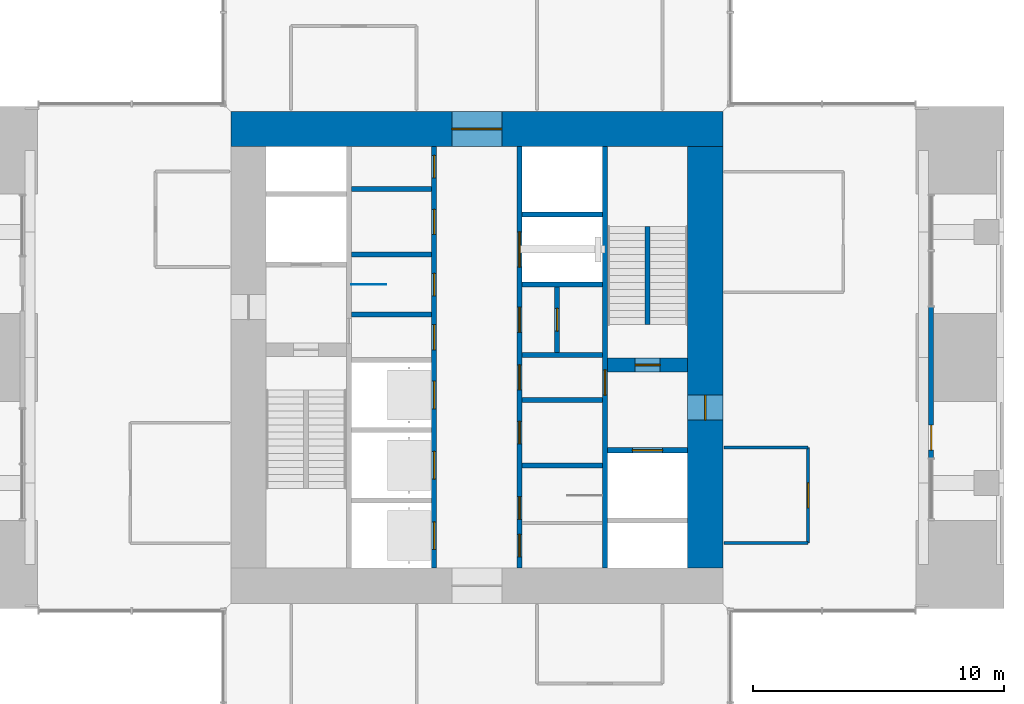
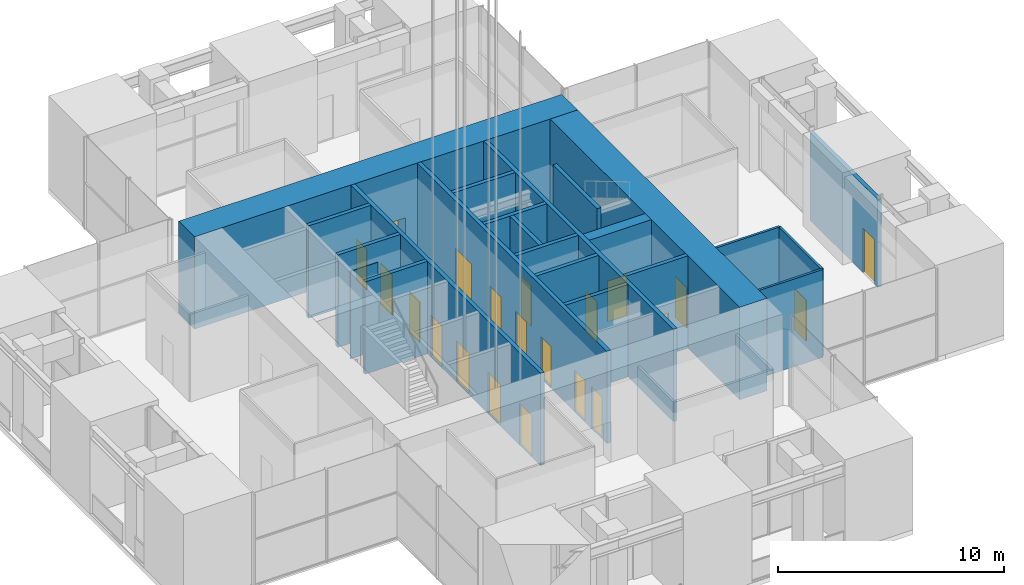
# One storey, part 6 of 17: 22 walls, 21 doors, 21 openings.
"""IFC4 building model written with IfcOpenShell, lengths in metres."""

from ifc_helpers import new_model, si_unit, direction, frame, frame_2d, origin, place, context, subcontext, project, spatial, rectangle, extrude, material, layer, layer_set, type_object, element, fill, save


model = new_model("IFC4")

# Units and contexts
model_context = context("Model", 3, precision=1e-05, world=origin(), true_north=direction((0.0, 1.0)))
body_context = subcontext(model_context, "Body", "Model", "MODEL_VIEW")
ifc_project = project(units=[si_unit("LENGTHUNIT", "METRE"), si_unit("AREAUNIT", "SQUARE_METRE"), si_unit("VOLUMEUNIT", "CUBIC_METRE"), si_unit("PLANEANGLEUNIT", "RADIAN"), si_unit("MASSUNIT", "GRAM", prefix="KILO")], contexts=[model_context])

# Site, building, storey
site_placement = place(None, origin())
site = spatial("IfcSite", under=ifc_project, at=site_placement, CompositionType="ELEMENT")
building_placement = place(site_placement, origin())
building = spatial("IfcBuilding", under=site, at=building_placement, Name="Svetlomir Tower", CompositionType="ELEMENT")
storey_placement = place(building_placement, frame((0.0, 0.0, 165.5)))
storey = spatial("IfcBuildingStorey", under=building, at=storey_placement, Name="L39", CompositionType="ELEMENT", Elevation=165.5)

# Wall, opening, door
ifc_material_1 = material(Name="Bronze anodised aluminium glazed screen", Category="aluminium")
ifc_layer_1 = layer(ifc_material_1, 0.199951171875)
ifc_layer_set_1 = layer_set([ifc_layer_1], Name="Bronze anodised aluminium glazed screen")
wall_type_1 = type_object("IfcWallType", Name="BALCONY SCREEN WALL 200", PredefinedType="USERDEFINED", material=ifc_layer_set_1)
wall_1_placement = place(storey_placement, frame((39.10009765625, 17.0, 0.0), z_axis=(0.0, 0.0, 1.0), x_axis=(0.0, 1.0, 0.0)))
wall_1 = element("IfcWall", 1, at=wall_1_placement, inside=storey, type_object=wall_type_1, Name="Balcony screen E", ObjectType="GLAZED SCREEN", PredefinedType="USERDEFINED", context=body_context, shape_type="SweptSolid", body=[
    extrude(rectangle(XDim=6.0, YDim=0.199951171875, at=frame_2d((3.0, 0.0))), origin(), (0.0, 0.0, 1.0), 4.75),
])
opening_1_placement = place(wall_1_placement, frame((0.300048828125, 0.0, 0.0)))
opening_1 = element("IfcOpeningElement", 2, at=opening_1_placement, cuts=wall_1, Name="Opening BD", PredefinedType="OPENING", context=body_context, shape_type="SweptSolid", body=[
    extrude(rectangle(XDim=1.0, YDim=2.39990234375, at=frame_2d((0.5, 1.199951171875))), frame((0.0, 0.10986328125, 0.0), z_axis=(0.0, -1.0, 0.0), x_axis=(1.0, 0.0, 0.0)), (0.0, 0.0, 1.0), 0.219970703125),
])
ifc_material_2 = material(Name="Bronze anodised aluminium glazed door", Category="aluminium")
door_type_1 = type_object("IfcDoorType", Name="BALCONY DOOR BD 1000x2400", OperationType="SINGLE_SWING_LEFT", PredefinedType="DOOR", material=ifc_material_2)
door_1_placement = place(opening_1_placement, origin())
door_1 = element("IfcDoor", 3, at=door_1_placement, inside=storey, type_object=door_type_1, Name="Balcony screen E door", OperationType="SINGLE_SWING_LEFT", OverallHeight=2.39990234375, OverallWidth=1.0, PredefinedType="DOOR", context=body_context, shape_type="SweptSolid", body=[
    extrude(rectangle(XDim=1.0, YDim=2.39990234375, at=frame_2d((0.5, 1.199951171875))), frame((0.0, 0.02490234375, 0.0), z_axis=(0.0, -1.0, 0.0), x_axis=(1.0, 0.0, 0.0)), (0.0, 0.0, 1.0), 0.050048828125),
])
fill(opening_1, door_1)

# Wall, openings, doors
ifc_material_3 = material(Name="Concrete C60/75", Category="concrete")
ifc_layer_2 = layer(ifc_material_3, 0.199951171875)
ifc_layer_set_2 = layer_set([ifc_layer_2], Name="Concrete C60/75")
wall_type_2 = type_object("IfcWallType", Name="CORE INNER WALL 200", PredefinedType="SHEAR", material=ifc_layer_set_2)
wall_2_placement = place(storey_placement, frame((19.300048828125, 12.60009765625, -0.050048828125), z_axis=(0.0, 0.0, 1.0), x_axis=(0.0, 1.0, 0.0)))
wall_2 = element("IfcWall", 4, at=wall_2_placement, inside=storey, type_object=wall_type_2, Name="Core inner wall 19.3 L39", PredefinedType="SHEAR", context=body_context, shape_type="SweptSolid", body=[
    extrude(rectangle(XDim=16.7998046875, YDim=0.199951171875, at=frame_2d((8.39990234375, 0.0))), origin(), (0.0, 0.0, 1.0), 5.0),
])
opening_2_placement = place(wall_2_placement, frame((8.699951171875, 0.0, 0.050048828125)))
opening_2 = element("IfcOpeningElement", 5, at=opening_2_placement, cuts=wall_2, Name="Opening DC", PredefinedType="OPENING", context=body_context, shape_type="SweptSolid", body=[
    extrude(rectangle(XDim=1.0, YDim=2.199951171875, at=frame_2d((0.5, 1.10009765625))), frame((0.0, 0.10986328125, 0.0), z_axis=(0.0, -1.0, 0.0), x_axis=(1.0, 0.0, 0.0)), (0.0, 0.0, 1.0), 0.219970703125),
])
opening_3_placement = place(wall_2_placement, frame((10.85009765625, 0.0, 0.050048828125)))
opening_3 = element("IfcOpeningElement", 6, at=opening_3_placement, cuts=wall_2, Name="Opening DW", PredefinedType="OPENING", context=body_context, shape_type="SweptSolid", body=[
    extrude(rectangle(XDim=0.89990234375, YDim=2.199951171875, at=frame_2d((0.449951171875, 1.10009765625))), frame((0.0, 0.10986328125, 0.0), z_axis=(0.0, -1.0, 0.0), x_axis=(1.0, 0.0, 0.0)), (0.0, 0.0, 1.0), 0.219970703125),
])
opening_4_placement = place(wall_2_placement, frame((13.300048828125, 0.0, 0.050048828125)))
opening_4 = element("IfcOpeningElement", 7, at=opening_4_placement, cuts=wall_2, Name="Opening DC", PredefinedType="OPENING", context=body_context, shape_type="SweptSolid", body=[
    extrude(rectangle(XDim=1.0, YDim=2.199951171875, at=frame_2d((0.5, 1.10009765625))), frame((0.0, 0.10986328125, 0.0), z_axis=(0.0, -1.0, 0.0), x_axis=(1.0, 0.0, 0.0)), (0.0, 0.0, 1.0), 0.219970703125),
])
opening_5_placement = place(wall_2_placement, frame((15.550048828125, 0.0, 0.050048828125)))
opening_5 = element("IfcOpeningElement", 8, at=opening_5_placement, cuts=wall_2, Name="Opening DW", PredefinedType="OPENING", context=body_context, shape_type="SweptSolid", body=[
    extrude(rectangle(XDim=0.89990234375, YDim=2.199951171875, at=frame_2d((0.449951171875, 1.10009765625))), frame((0.0, 0.10986328125, 0.0), z_axis=(0.0, -1.0, 0.0), x_axis=(1.0, 0.0, 0.0)), (0.0, 0.0, 1.0), 0.219970703125),
])
opening_6_placement = place(wall_2_placement, frame((0.75, 0.0, 0.050048828125)))
opening_6 = element("IfcOpeningElement", 9, at=opening_6_placement, cuts=wall_2, Name="Opening LD", PredefinedType="OPENING", context=body_context, shape_type="SweptSolid", body=[
    extrude(rectangle(XDim=1.10009765625, YDim=2.199951171875, at=frame_2d((0.550048828125, 1.10009765625))), frame((0.0, 0.10986328125, 0.0), z_axis=(0.0, -1.0, 0.0), x_axis=(1.0, 0.0, 0.0)), (0.0, 0.0, 1.0), 0.219970703125),
])
opening_7_placement = place(wall_2_placement, frame((3.550048828125, 0.0, 0.050048828125)))
opening_7 = element("IfcOpeningElement", 10, at=opening_7_placement, cuts=wall_2, Name="Opening LD", PredefinedType="OPENING", context=body_context, shape_type="SweptSolid", body=[
    extrude(rectangle(XDim=1.10009765625, YDim=2.199951171875, at=frame_2d((0.550048828125, 1.10009765625))), frame((0.0, 0.10986328125, 0.0), z_axis=(0.0, -1.0, 0.0), x_axis=(1.0, 0.0, 0.0)), (0.0, 0.0, 1.0), 0.219970703125),
])
opening_8_placement = place(wall_2_placement, frame((6.35009765625, 0.0, 0.050048828125)))
opening_8 = element("IfcOpeningElement", 11, at=opening_8_placement, cuts=wall_2, Name="Opening LD", PredefinedType="OPENING", context=body_context, shape_type="SweptSolid", body=[
    extrude(rectangle(XDim=1.10009765625, YDim=2.199951171875, at=frame_2d((0.550048828125, 1.10009765625))), frame((0.0, 0.10986328125, 0.0), z_axis=(0.0, -1.0, 0.0), x_axis=(1.0, 0.0, 0.0)), (0.0, 0.0, 1.0), 0.219970703125),
])
ifc_material_4 = material(Name="Timber fire door", Category="wood")
door_type_2 = type_object("IfcDoorType", Name="DOOR DC 1000x2200", OperationType="SINGLE_SWING_LEFT", PredefinedType="DOOR", material=ifc_material_4)
door_2_placement = place(opening_2_placement, origin())
door_2 = element("IfcDoor", 12, at=door_2_placement, inside=storey, type_object=door_type_2, Name="Core corridor west lobby door L39", OperationType="SINGLE_SWING_RIGHT", OverallHeight=2.199951171875, OverallWidth=1.0, PredefinedType="DOOR", context=body_context, shape_type="SweptSolid", body=[
    extrude(rectangle(XDim=1.0, YDim=2.199951171875, at=frame_2d((0.5, 1.10009765625))), frame((0.0, 0.02490234375, 0.0), z_axis=(0.0, -1.0, 0.0), x_axis=(1.0, 0.0, 0.0)), (0.0, 0.0, 1.0), 0.050048828125),
])
fill(opening_2, door_2)
door_3_placement = place(opening_4_placement, origin())
door_3 = element("IfcDoor", 13, at=door_3_placement, inside=storey, type_object=door_type_2, Name="Accessible WC door L39", OperationType="SINGLE_SWING_LEFT", OverallHeight=2.199951171875, OverallWidth=1.0, PredefinedType="DOOR", context=body_context, shape_type="SweptSolid", body=[
    extrude(rectangle(XDim=1.0, YDim=2.199951171875, at=frame_2d((0.5, 1.10009765625))), frame((0.0, 0.02490234375, 0.0), z_axis=(0.0, -1.0, 0.0), x_axis=(1.0, 0.0, 0.0)), (0.0, 0.0, 1.0), 0.050048828125),
])
fill(opening_4, door_3)
ifc_material_5 = material(Name="Timber fire door", Category="wood")
door_type_3 = type_object("IfcDoorType", Name="DOOR DW 900x2200", OperationType="SINGLE_SWING_LEFT", PredefinedType="DOOR", material=ifc_material_5)
door_4_placement = place(opening_3_placement, origin())
door_4 = element("IfcDoor", 14, at=door_4_placement, inside=storey, type_object=door_type_3, Name="Female WC door L39", OperationType="SINGLE_SWING_RIGHT", OverallHeight=2.199951171875, OverallWidth=0.89990234375, PredefinedType="DOOR", context=body_context, shape_type="SweptSolid", body=[
    extrude(rectangle(XDim=0.89990234375, YDim=2.199951171875, at=frame_2d((0.449951171875, 1.10009765625))), frame((0.0, 0.02490234375, 0.0), z_axis=(0.0, -1.0, 0.0), x_axis=(1.0, 0.0, 0.0)), (0.0, 0.0, 1.0), 0.050048828125),
])
fill(opening_3, door_4)
door_5_placement = place(opening_5_placement, origin())
door_5 = element("IfcDoor", 15, at=door_5_placement, inside=storey, type_object=door_type_3, Name="IT floor distributor room door L39", OperationType="SINGLE_SWING_RIGHT", OverallHeight=2.199951171875, OverallWidth=0.89990234375, PredefinedType="DOOR", context=body_context, shape_type="SweptSolid", body=[
    extrude(rectangle(XDim=0.89990234375, YDim=2.199951171875, at=frame_2d((0.449951171875, 1.10009765625))), frame((0.0, 0.02490234375, 0.0), z_axis=(0.0, -1.0, 0.0), x_axis=(1.0, 0.0, 0.0)), (0.0, 0.0, 1.0), 0.050048828125),
])
fill(opening_5, door_5)
ifc_material_6 = material(Name="Stainless steel landing door", Category="steel")
door_type_4 = type_object("IfcDoorType", Name="LIFT LANDING DOOR LD 1100x2200", OperationType="DOUBLE_DOOR_SLIDING", PredefinedType="DOOR", material=ifc_material_6)
door_6_placement = place(opening_6_placement, origin())
door_6 = element("IfcDoor", 16, at=door_6_placement, inside=storey, type_object=door_type_4, Name="Landing door lift LC1 L39", OperationType="DOUBLE_DOOR_SLIDING", OverallHeight=2.199951171875, OverallWidth=1.10009765625, PredefinedType="DOOR", context=body_context, shape_type="SweptSolid", body=[
    extrude(rectangle(XDim=1.10009765625, YDim=2.199951171875, at=frame_2d((0.550048828125, 1.10009765625))), frame((0.0, 0.02490234375, 0.0), z_axis=(0.0, -1.0, 0.0), x_axis=(1.0, 0.0, 0.0)), (0.0, 0.0, 1.0), 0.050048828125),
])
fill(opening_6, door_6)
door_7_placement = place(opening_7_placement, origin())
door_7 = element("IfcDoor", 17, at=door_7_placement, inside=storey, type_object=door_type_4, Name="Landing door lift LC2 L39", OperationType="DOUBLE_DOOR_SLIDING", OverallHeight=2.199951171875, OverallWidth=1.10009765625, PredefinedType="DOOR", context=body_context, shape_type="SweptSolid", body=[
    extrude(rectangle(XDim=1.10009765625, YDim=2.199951171875, at=frame_2d((0.550048828125, 1.10009765625))), frame((0.0, 0.02490234375, 0.0), z_axis=(0.0, -1.0, 0.0), x_axis=(1.0, 0.0, 0.0)), (0.0, 0.0, 1.0), 0.050048828125),
])
fill(opening_7, door_7)
door_8_placement = place(opening_8_placement, origin())
door_8 = element("IfcDoor", 18, at=door_8_placement, inside=storey, type_object=door_type_4, Name="Landing door lift LC3 L39", OperationType="DOUBLE_DOOR_SLIDING", OverallHeight=2.199951171875, OverallWidth=1.10009765625, PredefinedType="DOOR", context=body_context, shape_type="SweptSolid", body=[
    extrude(rectangle(XDim=1.10009765625, YDim=2.199951171875, at=frame_2d((0.550048828125, 1.10009765625))), frame((0.0, 0.02490234375, 0.0), z_axis=(0.0, -1.0, 0.0), x_axis=(1.0, 0.0, 0.0)), (0.0, 0.0, 1.0), 0.050048828125),
])
fill(opening_8, door_8)

wall_3_placement = place(storey_placement, frame((22.699951171875, 12.60009765625, -0.050048828125), z_axis=(0.0, 0.0, 1.0), x_axis=(0.0, 1.0, 0.0)))
wall_3 = element("IfcWall", 19, at=wall_3_placement, inside=storey, type_object=wall_type_2, Name="Core inner wall 22.7 L39", PredefinedType="SHEAR", context=body_context, shape_type="SweptSolid", body=[
    extrude(rectangle(XDim=16.7998046875, YDim=0.199951171875, at=frame_2d((8.39990234375, 0.0))), origin(), (0.0, 0.0, 1.0), 5.0),
])
opening_9_placement = place(wall_3_placement, frame((0.449951171875, 0.0, 0.050048828125)))
opening_9 = element("IfcOpeningElement", 20, at=opening_9_placement, cuts=wall_3, Name="Opening DW", PredefinedType="OPENING", context=body_context, shape_type="SweptSolid", body=[
    extrude(rectangle(XDim=0.89990234375, YDim=2.199951171875, at=frame_2d((0.449951171875, 1.10009765625))), frame((0.0, 0.10986328125, 0.0), z_axis=(0.0, -1.0, 0.0), x_axis=(1.0, 0.0, 0.0)), (0.0, 0.0, 1.0), 0.219970703125),
])
opening_10_placement = place(wall_3_placement, frame((7.10009765625, 0.0, 0.050048828125)))
opening_10 = element("IfcOpeningElement", 21, at=opening_10_placement, cuts=wall_3, Name="Opening DC", PredefinedType="OPENING", context=body_context, shape_type="SweptSolid", body=[
    extrude(rectangle(XDim=1.0, YDim=2.199951171875, at=frame_2d((0.5, 1.10009765625))), frame((0.0, 0.10986328125, 0.0), z_axis=(0.0, -1.0, 0.0), x_axis=(1.0, 0.0, 0.0)), (0.0, 0.0, 1.0), 0.219970703125),
])
opening_11_placement = place(wall_3_placement, frame((1.949951171875, 0.0, 0.050048828125)))
opening_11 = element("IfcOpeningElement", 22, at=opening_11_placement, cuts=wall_3, Name="Opening DW", PredefinedType="OPENING", context=body_context, shape_type="SweptSolid", body=[
    extrude(rectangle(XDim=0.89990234375, YDim=2.199951171875, at=frame_2d((0.449951171875, 1.10009765625))), frame((0.0, 0.10986328125, 0.0), z_axis=(0.0, -1.0, 0.0), x_axis=(1.0, 0.0, 0.0)), (0.0, 0.0, 1.0), 0.219970703125),
])
opening_12_placement = place(wall_3_placement, frame((4.949951171875, 0.0, 0.050048828125)))
opening_12 = element("IfcOpeningElement", 23, at=opening_12_placement, cuts=wall_3, Name="Opening DW", PredefinedType="OPENING", context=body_context, shape_type="SweptSolid", body=[
    extrude(rectangle(XDim=0.89990234375, YDim=2.199951171875, at=frame_2d((0.449951171875, 1.10009765625))), frame((0.0, 0.10986328125, 0.0), z_axis=(0.0, -1.0, 0.0), x_axis=(1.0, 0.0, 0.0)), (0.0, 0.0, 1.0), 0.219970703125),
])
opening_13_placement = place(wall_3_placement, frame((9.39990234375, 0.0, 0.050048828125)))
opening_13 = element("IfcOpeningElement", 24, at=opening_13_placement, cuts=wall_3, Name="Opening DC", PredefinedType="OPENING", context=body_context, shape_type="SweptSolid", body=[
    extrude(rectangle(XDim=1.0, YDim=2.199951171875, at=frame_2d((0.5, 1.10009765625))), frame((0.0, 0.10986328125, 0.0), z_axis=(0.0, -1.0, 0.0), x_axis=(1.0, 0.0, 0.0)), (0.0, 0.0, 1.0), 0.219970703125),
])
opening_14_placement = place(wall_3_placement, frame((12.0, 0.0, 0.050048828125)))
opening_14 = element("IfcOpeningElement", 25, at=opening_14_placement, cuts=wall_3, Name="Opening LD2", PredefinedType="OPENING", context=body_context, shape_type="SweptSolid", body=[
    extrude(rectangle(XDim=1.39990234375, YDim=2.39990234375, at=frame_2d((0.699951171875, 1.199951171875))), frame((0.0, 0.10986328125, 0.0), z_axis=(0.0, -1.0, 0.0), x_axis=(1.0, 0.0, 0.0)), (0.0, 0.0, 1.0), 0.219970703125),
])
door_9_placement = place(opening_10_placement, origin())
door_9 = element("IfcDoor", 26, at=door_9_placement, inside=storey, type_object=door_type_2, Name="Core corridor east lobby door L39", OperationType="SINGLE_SWING_LEFT", OverallHeight=2.199951171875, OverallWidth=1.0, PredefinedType="DOOR", context=body_context, shape_type="SweptSolid", body=[
    extrude(rectangle(XDim=1.0, YDim=2.199951171875, at=frame_2d((0.5, 1.10009765625))), frame((0.0, 0.02490234375, 0.0), z_axis=(0.0, -1.0, 0.0), x_axis=(1.0, 0.0, 0.0)), (0.0, 0.0, 1.0), 0.050048828125),
])
fill(opening_10, door_9)
door_10_placement = place(opening_13_placement, origin())
door_10 = element("IfcDoor", 27, at=door_10_placement, inside=storey, type_object=door_type_2, Name="Converted shaft BANK-E1 room door L39", OperationType="SINGLE_SWING_LEFT", OverallHeight=2.199951171875, OverallWidth=1.0, PredefinedType="DOOR", context=body_context, shape_type="SweptSolid", body=[
    extrude(rectangle(XDim=1.0, YDim=2.199951171875, at=frame_2d((0.5, 1.10009765625))), frame((0.0, 0.02490234375, 0.0), z_axis=(0.0, -1.0, 0.0), x_axis=(1.0, 0.0, 0.0)), (0.0, 0.0, 1.0), 0.050048828125),
])
fill(opening_13, door_10)
door_11_placement = place(opening_9_placement, origin())
door_11 = element("IfcDoor", 28, at=door_11_placement, inside=storey, type_object=door_type_3, Name="Floor store door L39", OperationType="SINGLE_SWING_LEFT", OverallHeight=2.199951171875, OverallWidth=0.89990234375, PredefinedType="DOOR", context=body_context, shape_type="SweptSolid", body=[
    extrude(rectangle(XDim=0.89990234375, YDim=2.199951171875, at=frame_2d((0.449951171875, 1.10009765625))), frame((0.0, 0.02490234375, 0.0), z_axis=(0.0, -1.0, 0.0), x_axis=(1.0, 0.0, 0.0)), (0.0, 0.0, 1.0), 0.050048828125),
])
fill(opening_9, door_11)
door_12_placement = place(opening_11_placement, origin())
door_12 = element("IfcDoor", 29, at=door_12_placement, inside=storey, type_object=door_type_3, Name="Male WC door L39", OperationType="SINGLE_SWING_LEFT", OverallHeight=2.199951171875, OverallWidth=0.89990234375, PredefinedType="DOOR", context=body_context, shape_type="SweptSolid", body=[
    extrude(rectangle(XDim=0.89990234375, YDim=2.199951171875, at=frame_2d((0.449951171875, 1.10009765625))), frame((0.0, 0.02490234375, 0.0), z_axis=(0.0, -1.0, 0.0), x_axis=(1.0, 0.0, 0.0)), (0.0, 0.0, 1.0), 0.050048828125),
])
fill(opening_11, door_12)
door_13_placement = place(opening_12_placement, origin())
door_13 = element("IfcDoor", 30, at=door_13_placement, inside=storey, type_object=door_type_3, Name="Comms room door L39", OperationType="SINGLE_SWING_RIGHT", OverallHeight=2.199951171875, OverallWidth=0.89990234375, PredefinedType="DOOR", context=body_context, shape_type="SweptSolid", body=[
    extrude(rectangle(XDim=0.89990234375, YDim=2.199951171875, at=frame_2d((0.449951171875, 1.10009765625))), frame((0.0, 0.02490234375, 0.0), z_axis=(0.0, -1.0, 0.0), x_axis=(1.0, 0.0, 0.0)), (0.0, 0.0, 1.0), 0.050048828125),
])
fill(opening_12, door_13)
ifc_material_7 = material(Name="Stainless steel landing door", Category="steel")
door_type_5 = type_object("IfcDoorType", Name="LIFT LANDING DOOR LD2 1400x2400", OperationType="DOUBLE_DOOR_SLIDING", PredefinedType="DOOR", material=ifc_material_7)
door_14_placement = place(opening_14_placement, origin())
door_14 = element("IfcDoor", 31, at=door_14_placement, inside=storey, type_object=door_type_5, Name="Landing door lift SH2 L39", OperationType="DOUBLE_DOOR_SLIDING", OverallHeight=2.39990234375, OverallWidth=1.39990234375, PredefinedType="DOOR", context=body_context, shape_type="SweptSolid", body=[
    extrude(rectangle(XDim=1.39990234375, YDim=2.39990234375, at=frame_2d((0.699951171875, 1.199951171875))), frame((0.0, 0.02490234375, 0.0), z_axis=(0.0, -1.0, 0.0), x_axis=(1.0, 0.0, 0.0)), (0.0, 0.0, 1.0), 0.050048828125),
])
fill(opening_14, door_14)

# Wall, opening, door
wall_4_placement = place(storey_placement, frame((26.10009765625, 12.60009765625, -0.050048828125), z_axis=(0.0, 0.0, 1.0), x_axis=(0.0, 1.0, 0.0)))
wall_4 = element("IfcWall", 32, at=wall_4_placement, inside=storey, type_object=wall_type_2, Name="Core inner wall 26.1 L39", PredefinedType="SHEAR", context=body_context, shape_type="SweptSolid", body=[
    extrude(rectangle(XDim=16.7998046875, YDim=0.199951171875, at=frame_2d((8.39990234375, 0.0))), origin(), (0.0, 0.0, 1.0), 5.0),
])
opening_15_placement = place(wall_4_placement, frame((6.89990234375, 0.0, 0.050048828125)))
opening_15 = element("IfcOpeningElement", 33, at=opening_15_placement, cuts=wall_4, Name="Opening DF", PredefinedType="OPENING", context=body_context, shape_type="SweptSolid", body=[
    extrude(rectangle(XDim=1.0, YDim=2.199951171875, at=frame_2d((0.5, 1.10009765625))), frame((0.0, 0.10986328125, 0.0), z_axis=(0.0, -1.0, 0.0), x_axis=(1.0, 0.0, 0.0)), (0.0, 0.0, 1.0), 0.219970703125),
])
ifc_material_8 = material(Name="Steel fire door", Category="steel")
door_type_6 = type_object("IfcDoorType", Name="DOOR DF 1000x2200", OperationType="SINGLE_SWING_LEFT", PredefinedType="DOOR", material=ifc_material_8)
door_15_placement = place(opening_15_placement, origin())
door_15 = element("IfcDoor", 34, at=door_15_placement, inside=storey, type_object=door_type_6, Name="Core corridor east door L39", OperationType="SINGLE_SWING_LEFT", OverallHeight=2.199951171875, OverallWidth=1.0, PredefinedType="DOOR", context=body_context, shape_type="SweptSolid", body=[
    extrude(rectangle(XDim=1.0, YDim=2.199951171875, at=frame_2d((0.5, 1.10009765625))), frame((0.0, 0.02490234375, 0.0), z_axis=(0.0, -1.0, 0.0), x_axis=(1.0, 0.0, 0.0)), (0.0, 0.0, 1.0), 0.050048828125),
])
fill(opening_15, door_15)

# Walls
for number, where, z_axis, x_axis, name in (
    (35, (16.0, 22.699951171875, -0.050048828125), (0.0, 0.0, 1.0), (1.0, 0.0, 0.0), "Core inner wall 16-19.2/22.7 L39"),
    (36, (16.0, 25.10009765625, -0.050048828125), (0.0, 0.0, 1.0), (1.0, 0.0, 0.0), "Core inner wall 16-19.2/25.1 L39"),
    (37, (16.0, 27.699951171875, -0.050048828125), (0.0, 0.0, 1.0), (1.0, 0.0, 0.0), "Core inner wall 16-19.2/27.7 L39"),
    (38, (22.800048828125, 16.699951171875, -0.050048828125), (0.0, 0.0, 1.0), (1.0, 0.0, 0.0), "Core inner wall 22.8-26/16.7 L39"),
    (39, (22.800048828125, 19.300048828125, -0.050048828125), (0.0, 0.0, 1.0), (1.0, 0.0, 0.0), "Core inner wall 22.8-26/19.3 L39"),
    (40, (22.800048828125, 21.10009765625, -0.050048828125), (0.0, 0.0, 1.0), (1.0, 0.0, 0.0), "Core inner wall 22.8-26/21.1 L39"),
    (41, (22.800048828125, 23.89990234375, -0.050048828125), (0.0, 0.0, 1.0), (1.0, 0.0, 0.0), "Core inner wall 22.8-26/23.9 L39"),
    (42, (22.800048828125, 26.699951171875, -0.050048828125), (0.0, 0.0, 1.0), (1.0, 0.0, 0.0), "Core inner wall 22.8-26/26.7 L39"),
):
    element("IfcWall", number, at=place(storey_placement, frame(where, z_axis=z_axis, x_axis=x_axis)), inside=storey, type_object=wall_type_2, Name=name, PredefinedType="SHEAR", context=body_context, shape_type="SweptSolid", body=[
        extrude(rectangle(XDim=3.199951171875, YDim=0.199951171875, at=frame_2d((1.60009765625, 0.0))), origin(), (0.0, 0.0, 1.0), 5.0),
    ])

# Wall, opening, door
wall_5_placement = place(storey_placement, frame((26.199951171875, 17.300048828125, -0.050048828125), z_axis=(0.0, 0.0, 1.0), x_axis=(1.0, 0.0, 0.0)))
wall_5 = element("IfcWall", 43, at=wall_5_placement, inside=storey, type_object=wall_type_2, Name="Core inner wall 26.2-29.4/17.3 L39", PredefinedType="SHEAR", context=body_context, shape_type="SweptSolid", body=[
    extrude(rectangle(XDim=3.199951171875, YDim=0.199951171875, at=frame_2d((1.60009765625, 0.0))), origin(), (0.0, 0.0, 1.0), 5.0),
])
opening_16_placement = place(wall_5_placement, frame((1.0, 0.0, 0.050048828125)))
opening_16 = element("IfcOpeningElement", 44, at=opening_16_placement, cuts=wall_5, Name="Opening LD3", PredefinedType="OPENING", context=body_context, shape_type="SweptSolid", body=[
    extrude(rectangle(XDim=1.199951171875, YDim=2.199951171875, at=frame_2d((0.60009765625, 1.10009765625))), frame((0.0, 0.10986328125, 0.0), z_axis=(0.0, -1.0, 0.0), x_axis=(1.0, 0.0, 0.0)), (0.0, 0.0, 1.0), 0.219970703125),
])
ifc_material_9 = material(Name="Stainless steel fire-rated landing door", Category="steel")
door_type_7 = type_object("IfcDoorType", Name="FIREFIGHTING LIFT LANDING DOOR LD3 1200x2200", OperationType="DOUBLE_DOOR_SLIDING", PredefinedType="DOOR", material=ifc_material_9)
door_16_placement = place(opening_16_placement, origin())
door_16 = element("IfcDoor", 45, at=door_16_placement, inside=storey, type_object=door_type_7, Name="Landing door lift FL2 L39", OperationType="DOUBLE_DOOR_SLIDING", OverallHeight=2.199951171875, OverallWidth=1.199951171875, PredefinedType="DOOR", context=body_context, shape_type="SweptSolid", body=[
    extrude(rectangle(XDim=1.199951171875, YDim=2.199951171875, at=frame_2d((0.60009765625, 1.10009765625))), frame((0.0, 0.02490234375, 0.0), z_axis=(0.0, -1.0, 0.0), x_axis=(1.0, 0.0, 0.0)), (0.0, 0.0, 1.0), 0.050048828125),
])
fill(opening_16, door_16)

wall_6_placement = place(storey_placement, frame((24.199951171875, 21.199951171875, -0.050048828125), z_axis=(0.0, 0.0, 1.0), x_axis=(0.0, 1.0, 0.0)))
wall_6 = element("IfcWall", 46, at=wall_6_placement, inside=storey, type_object=wall_type_2, Name="Core inner wall 24.2/21.2-23.8 L39", PredefinedType="SHEAR", context=body_context, shape_type="SweptSolid", body=[
    extrude(rectangle(XDim=2.60009765625, YDim=0.199951171875, at=frame_2d((1.300048828125, 0.0))), origin(), (0.0, 0.0, 1.0), 5.0),
])
opening_17_placement = place(wall_6_placement, frame((0.85009765625, 0.0, 0.050048828125)))
opening_17 = element("IfcOpeningElement", 47, at=opening_17_placement, cuts=wall_6, Name="Opening DW", PredefinedType="OPENING", context=body_context, shape_type="SweptSolid", body=[
    extrude(rectangle(XDim=0.89990234375, YDim=2.199951171875, at=frame_2d((0.449951171875, 1.10009765625))), frame((0.0, 0.10986328125, 0.0), z_axis=(0.0, -1.0, 0.0), x_axis=(1.0, 0.0, 0.0)), (0.0, 0.0, 1.0), 0.219970703125),
])
door_17_placement = place(opening_17_placement, origin())
door_17 = element("IfcDoor", 48, at=door_17_placement, inside=storey, type_object=door_type_3, Name="Converted shaft BANK-E1 back room door L39", OperationType="SINGLE_SWING_RIGHT", OverallHeight=2.199951171875, OverallWidth=0.89990234375, PredefinedType="DOOR", context=body_context, shape_type="SweptSolid", body=[
    extrude(rectangle(XDim=0.89990234375, YDim=2.199951171875, at=frame_2d((0.449951171875, 1.10009765625))), frame((0.0, 0.02490234375, 0.0), z_axis=(0.0, -1.0, 0.0), x_axis=(1.0, 0.0, 0.0)), (0.0, 0.0, 1.0), 0.050048828125),
])
fill(opening_17, door_17)

ifc_material_10 = material(Name="Concrete C60/75", Category="concrete")
ifc_layer_3 = layer(ifc_material_10, 0.550048828125)
ifc_layer_set_3 = layer_set([ifc_layer_3], Name="Concrete C60/75")
wall_type_3 = type_object("IfcWallType", Name="CORE OUTRIGGER WALL 550", PredefinedType="SHEAR", material=ifc_layer_set_3)
wall_7_placement = place(storey_placement, frame((26.199951171875, 20.699951171875, -0.050048828125), z_axis=(0.0, 0.0, 1.0), x_axis=(1.0, 0.0, 0.0)))
wall_7 = element("IfcWall", 49, at=wall_7_placement, inside=storey, type_object=wall_type_3, Name="Core outrigger wall 26.2-29.4/20.7 L39", PredefinedType="SHEAR", context=body_context, shape_type="SweptSolid", body=[
    extrude(rectangle(XDim=3.199951171875, YDim=0.550048828125, at=frame_2d((1.60009765625, 0.0))), origin(), (0.0, 0.0, 1.0), 5.0),
])
opening_18_placement = place(wall_7_placement, frame((1.10009765625, 0.0, 0.050048828125)))
opening_18 = element("IfcOpeningElement", 50, at=opening_18_placement, cuts=wall_7, Name="Opening DF", PredefinedType="OPENING", context=body_context, shape_type="SweptSolid", body=[
    extrude(rectangle(XDim=1.0, YDim=2.199951171875, at=frame_2d((0.5, 1.10009765625))), frame((0.0, 0.28515625, 0.0), z_axis=(0.0, -1.0, 0.0), x_axis=(1.0, 0.0, 0.0)), (0.0, 0.0, 1.0), 0.570068359375),
])
door_18_placement = place(opening_18_placement, origin())
door_18 = element("IfcDoor", 51, at=door_18_placement, inside=storey, type_object=door_type_6, Name="Stair S2 door L39", OperationType="SINGLE_SWING_LEFT", OverallHeight=2.199951171875, OverallWidth=1.0, PredefinedType="DOOR", context=body_context, shape_type="SweptSolid", body=[
    extrude(rectangle(XDim=1.0, YDim=2.199951171875, at=frame_2d((0.5, 1.10009765625))), frame((0.0, 0.02490234375, 0.0), z_axis=(0.0, -1.0, 0.0), x_axis=(1.0, 0.0, 0.0)), (0.0, 0.0, 1.0), 0.050048828125),
])
fill(opening_18, door_18)

ifc_material_11 = material(Name="Concrete C60/75", Category="concrete")
ifc_layer_4 = layer(ifc_material_11, 1.39990234375)
ifc_layer_set_4 = layer_set([ifc_layer_4], Name="Concrete C60/75")
wall_type_4 = type_object("IfcWallType", Name="CORE WALL 1400", PredefinedType="SHEAR", material=ifc_layer_set_4)
wall_8_placement = place(storey_placement, frame((11.199951171875, 30.10009765625, -0.050048828125), z_axis=(0.0, 0.0, 1.0), x_axis=(1.0, 0.0, 0.0)))
wall_8 = element("IfcWall", 52, at=wall_8_placement, inside=storey, type_object=wall_type_4, Name="Core wall north L39", PredefinedType="SHEAR", context=body_context, shape_type="SweptSolid", body=[
    extrude(rectangle(XDim=19.60009765625, YDim=1.39990234375, at=frame_2d((9.800048828125, 0.0))), origin(), (0.0, 0.0, 1.0), 5.0),
])
opening_19_placement = place(wall_8_placement, frame((8.800048828125, 0.0, 0.050048828125)))
opening_19 = element("IfcOpeningElement", 53, at=opening_19_placement, cuts=wall_8, Name="Opening DL", PredefinedType="OPENING", context=body_context, shape_type="SweptSolid", body=[
    extrude(rectangle(XDim=2.0, YDim=2.199951171875, at=frame_2d((1.0, 1.10009765625))), frame((0.0, 0.7099609375, 0.0), z_axis=(0.0, -1.0, 0.0), x_axis=(1.0, 0.0, 0.0)), (0.0, 0.0, 1.0), 1.419921875),
])
ifc_material_12 = material(Name="Steel fire door", Category="steel")
door_type_8 = type_object("IfcDoorType", Name="DOOR DL 2000x2200", OperationType="DOUBLE_DOOR_SINGLE_SWING", PredefinedType="DOOR", material=ifc_material_12)
door_19_placement = place(opening_19_placement, origin())
door_19 = element("IfcDoor", 54, at=door_19_placement, inside=storey, type_object=door_type_8, Name="Lift lobby north door L39", OperationType="DOUBLE_DOOR_SINGLE_SWING", OverallHeight=2.199951171875, OverallWidth=2.0, PredefinedType="DOOR", context=body_context, shape_type="SweptSolid", body=[
    extrude(rectangle(XDim=2.0, YDim=2.199951171875, at=frame_2d((1.0, 1.10009765625))), frame((0.0, 0.02490234375, 0.0), z_axis=(0.0, -1.0, 0.0), x_axis=(1.0, 0.0, 0.0)), (0.0, 0.0, 1.0), 0.050048828125),
])
fill(opening_19, door_19)

wall_9_placement = place(storey_placement, frame((30.10009765625, 12.60009765625, -0.050048828125), z_axis=(0.0, 0.0, 1.0), x_axis=(0.0, 1.0, 0.0)))
wall_9 = element("IfcWall", 55, at=wall_9_placement, inside=storey, type_object=wall_type_4, Name="Core wall east L39", PredefinedType="SHEAR", context=body_context, shape_type="SweptSolid", body=[
    extrude(rectangle(XDim=16.7998046875, YDim=1.39990234375, at=frame_2d((8.39990234375, 0.0))), origin(), (0.0, 0.0, 1.0), 5.0),
])
opening_20_placement = place(wall_9_placement, frame((5.89990234375, 0.0, 0.050048828125)))
opening_20 = element("IfcOpeningElement", 56, at=opening_20_placement, cuts=wall_9, Name="Opening DF", PredefinedType="OPENING", context=body_context, shape_type="SweptSolid", body=[
    extrude(rectangle(XDim=1.0, YDim=2.199951171875, at=frame_2d((0.5, 1.10009765625))), frame((0.0, 0.7099609375, 0.0), z_axis=(0.0, -1.0, 0.0), x_axis=(1.0, 0.0, 0.0)), (0.0, 0.0, 1.0), 1.419921875),
])
door_20_placement = place(opening_20_placement, origin())
door_20 = element("IfcDoor", 57, at=door_20_placement, inside=storey, type_object=door_type_6, Name="Firefighting lobby east door L39", OperationType="SINGLE_SWING_RIGHT", OverallHeight=2.199951171875, OverallWidth=1.0, PredefinedType="DOOR", context=body_context, shape_type="SweptSolid", body=[
    extrude(rectangle(XDim=1.0, YDim=2.199951171875, at=frame_2d((0.5, 1.10009765625))), frame((0.0, 0.02490234375, 0.0), z_axis=(0.0, -1.0, 0.0), x_axis=(1.0, 0.0, 0.0)), (0.0, 0.0, 1.0), 0.050048828125),
])
fill(opening_20, door_20)

# Walls
ifc_material_13 = material(Name="Gypsum board on steel studs", Category="steel")
ifc_layer_5 = layer(ifc_material_13, 0.1201171875)
ifc_layer_set_5 = layer_set([ifc_layer_5], Name="Gypsum board on steel studs")
wall_type_5 = type_object("IfcWallType", Name="PARTITION 120", PredefinedType="PARTITIONING", material=ifc_layer_set_5)
for number, where, z_axis, x_axis, name in (
    (58, (30.85009765625, 13.60009765625, 0.0), (0.0, 0.0, 1.0), (1.0, 0.0, 0.0), "Partition L39"),
    (59, (30.85009765625, 17.39990234375, 0.0), (0.0, 0.0, 1.0), (1.0, 0.0, 0.0), "Partition L39"),
):
    element("IfcWall", number, at=place(storey_placement, frame(where, z_axis=z_axis, x_axis=x_axis)), inside=storey, type_object=wall_type_5, Name=name, PredefinedType="PARTITIONING", context=body_context, shape_type="SweptSolid", body=[
        extrude(rectangle(XDim=3.349853515625, YDim=0.1201171875, at=frame_2d((1.6748046875, 0.0))), origin(), (0.0, 0.0, 1.0), 4.75),
    ])

# Wall, opening, door
wall_10_placement = place(storey_placement, frame((34.199951171875, 13.60009765625, 0.0), z_axis=(0.0, 0.0, 1.0), x_axis=(0.0, 1.0, 0.0)))
wall_10 = element("IfcWall", 60, at=wall_10_placement, inside=storey, type_object=wall_type_5, Name="Partition L39", PredefinedType="PARTITIONING", context=body_context, shape_type="SweptSolid", body=[
    extrude(rectangle(XDim=3.7998046875, YDim=0.1201171875, at=frame_2d((1.89990234375, 0.0))), origin(), (0.0, 0.0, 1.0), 4.75),
])
opening_21_placement = place(wall_10_placement, frame((1.39990234375, 0.0, 0.0)))
opening_21 = element("IfcOpeningElement", 61, at=opening_21_placement, cuts=wall_10, Name="Opening DR", PredefinedType="OPENING", context=body_context, shape_type="SweptSolid", body=[
    extrude(rectangle(XDim=1.0, YDim=2.199951171875, at=frame_2d((0.5, 1.10009765625))), frame((0.0, 0.070068359375, 0.0), z_axis=(0.0, -1.0, 0.0), x_axis=(1.0, 0.0, 0.0)), (0.0, 0.0, 1.0), 0.14013671875),
])
ifc_material_14 = material(Name="Timber door, glazed side light", Category="wood")
door_type_9 = type_object("IfcDoorType", Name="DOOR DR 1000x2200", OperationType="SINGLE_SWING_LEFT", PredefinedType="DOOR", material=ifc_material_14)
door_21_placement = place(opening_21_placement, origin())
door_21 = element("IfcDoor", 62, at=door_21_placement, inside=storey, type_object=door_type_9, Name="Quiet room door L39", OperationType="SINGLE_SWING_LEFT", OverallHeight=2.199951171875, OverallWidth=1.0, PredefinedType="DOOR", context=body_context, shape_type="SweptSolid", body=[
    extrude(rectangle(XDim=1.0, YDim=2.199951171875, at=frame_2d((0.5, 1.10009765625))), frame((0.0, 0.02490234375, 0.0), z_axis=(0.0, -1.0, 0.0), x_axis=(1.0, 0.0, 0.0)), (0.0, 0.0, 1.0), 0.050048828125),
])
fill(opening_21, door_21)

# Walls
ifc_material_15 = material(Name="Concrete C60/75", Category="concrete")
ifc_layer_6 = layer(ifc_material_15, 0.199951171875)
ifc_layer_set_6 = layer_set([ifc_layer_6], Name="Concrete C60/75")
wall_type_6 = type_object("IfcWallType", Name="STAIR SPINE WALL 200", PredefinedType="PARTITIONING", material=ifc_layer_set_6)
wall_11_placement = place(storey_placement, frame((27.800048828125, 22.300048828125, 0.0), z_axis=(0.0, 0.0, 1.0), x_axis=(0.0, 1.0, 0.0)))
element("IfcWall", 63, at=wall_11_placement, inside=storey, type_object=wall_type_6, Name="Stair S2 spine wall L39", PredefinedType="PARTITIONING", context=body_context, shape_type="SweptSolid", body=[
    extrude(rectangle(XDim=3.919921875, YDim=0.199951171875, at=frame_2d((1.9599609375, 0.0))), origin(), (0.0, 0.0, 1.0), 5.0),
])
ifc_material_16 = material(Name="Compact laminate panel", Category="plastic")
ifc_layer_7 = layer(ifc_material_16, 0.030029296875)
ifc_layer_set_7 = layer_set([ifc_layer_7], Name="Compact laminate panel")
wall_type_7 = type_object("IfcWallType", Name="WC CUBICLE PARTITION 30", PredefinedType="PARTITIONING", material=ifc_layer_set_7)
wall_12_placement = place(storey_placement, frame((16.0, 23.89990234375, 0.0), z_axis=(0.0, 0.0, 1.0), x_axis=(1.0, 0.0, 0.0)))
element("IfcWall", 64, at=wall_12_placement, inside=storey, type_object=wall_type_7, Name="WC cubicle partition L39", PredefinedType="PARTITIONING", context=body_context, shape_type="SweptSolid", body=[
    extrude(rectangle(XDim=1.39990234375, YDim=0.030029296875, at=frame_2d((0.699951171875, 0.0))), origin(), (0.0, 0.0, 1.0), 4.75),
])

save(model, "model.ifc")
